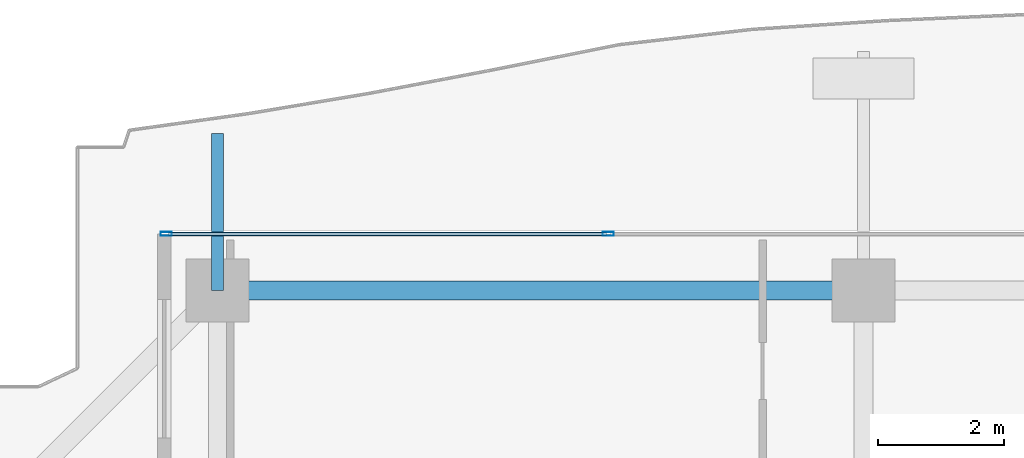
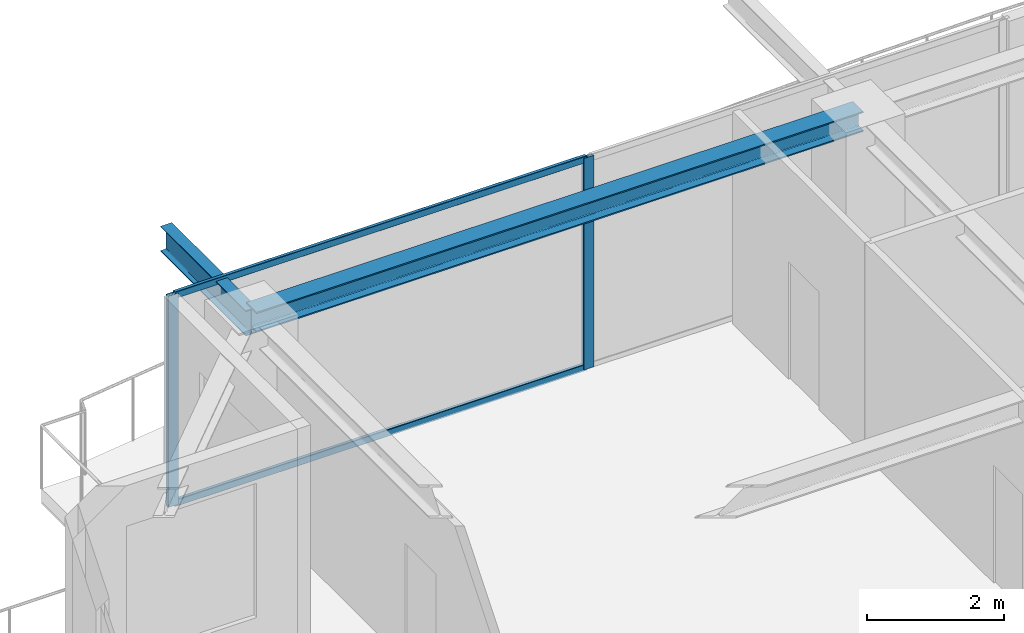
# One storey, part 21 of 39: 4 members, 2 beams, 1 element without a shape of its own.
"""IFC4 building model written with IfcOpenShell, lengths in metres."""

from ifc_helpers import new_model, si_unit, direction, frame, origin, origin_2d, place, context, subcontext, project, spatial, hollow_rectangle, i_section, extrude, source, transform, mapped, material, layer, layer_set, material_profile, profile_set, type_object, element, aggregate, save


model = new_model("IFC4")

# Units and contexts
model_context = context("Model", 3, precision=1e-05, world=origin(), true_north=direction((0.0, 1.0)))
body_context = subcontext(model_context, "Body", "Model", "MODEL_VIEW")
ifc_project = project(units=[si_unit("LENGTHUNIT", "METRE"), si_unit("AREAUNIT", "SQUARE_METRE"), si_unit("VOLUMEUNIT", "CUBIC_METRE"), si_unit("PLANEANGLEUNIT", "RADIAN"), si_unit("MASSUNIT", "GRAM", prefix="KILO")], contexts=[model_context])

# Site, building, storey
site_placement = place(None, origin())
site = spatial("IfcSite", under=ifc_project, at=site_placement, CompositionType="ELEMENT")
building_placement = place(site_placement, origin())
building = spatial("IfcBuilding", under=site, at=building_placement, Name="Serunith Strait Residences", CompositionType="ELEMENT")
storey_placement = place(building_placement, frame((0.0, 0.0, 329.89990234375)))
storey = spatial("IfcBuildingStorey", under=building, at=storey_placement, Name="L82", CompositionType="ELEMENT", Elevation=329.89990234375)

# Beams
ifc_material_1 = material(Name="Steel S355J2", Category="steel")
ifc_material_profile_1 = material_profile(ifc_material_1, i_section(OverallWidth=0.300048828125, OverallDepth=0.360107421875, WebThickness=0.012451171875, FlangeThickness=0.0224609375, FilletRadius=0.027099609375, at=origin_2d()), Name="HEB 360")
ifc_profile_set_1 = profile_set([ifc_material_profile_1], Name="Steel S355J2")
beam_type_1 = type_object("IfcBeamType", Name="BM-HEB360", PredefinedType="BEAM", material=ifc_profile_set_1)
shared_shape_1 = source(origin(), body_context, "Body", "SweptSolid", [
    extrude(i_section(OverallWidth=0.300048828125, OverallDepth=0.360107421875, WebThickness=0.012451171875, FlangeThickness=0.0224609375, FilletRadius=0.027099609375, at=origin_2d()), origin(), (0.0, 0.0, 1.0), 10.25),
])
beam_1_placement = place(storey_placement, frame((27.89990234375, 47.10009765625, 3.607177734375), z_axis=(-1.0, 0.0, 0.0), x_axis=(0.0, -1.0, 0.0)))
element("IfcBeam", 1, at=beam_1_placement, inside=storey, type_object=beam_type_1, Name="L82 Perimeter Ring Beam 11", PredefinedType="BEAM", context=body_context, shape_type="MappedRepresentation", body=[
    mapped(shared_shape_1, transform((0.0, 0.0, 0.0), scale=1.0)),
])
ifc_material_profile_2 = material_profile(ifc_material_1, i_section(OverallWidth=0.18994140625, OverallDepth=0.449951171875, WebThickness=0.009521484375, FlangeThickness=0.0146484375, FilletRadius=0.02099609375, at=origin_2d()), Name="IPE 450")
ifc_profile_set_2 = profile_set([ifc_material_profile_2], Name="Steel S355J2")
beam_type_2 = type_object("IfcBeamType", Name="BM-IPE450", PredefinedType="JOIST", material=ifc_profile_set_2)
shared_shape_2 = source(origin(), body_context, "Body", "SweptSolid", [
    extrude(i_section(OverallWidth=0.18994140625, OverallDepth=0.449951171875, WebThickness=0.009521484375, FlangeThickness=0.0146484375, FilletRadius=0.02099609375, at=origin_2d()), origin(), (0.0, 0.0, 1.0), 2.493896484375),
])
beam_2_placement = place(storey_placement, frame((17.64990234375, 47.10009765625, 3.531982421875), z_axis=(0.0, 1.0, 0.0), x_axis=(-1.0, 0.0, 0.0)))
element("IfcBeam", 2, at=beam_2_placement, inside=storey, type_object=beam_type_2, Name="L83 Cantilevered Balcony Rib TC-N1", PredefinedType="JOIST", context=body_context, shape_type="MappedRepresentation", body=[
    mapped(shared_shape_2, transform((0.0, 0.0, 0.0), scale=1.0)),
])

# Curtain wall, members
ifc_material_2 = material(Name="Brushed Stainless-Silver Aluminium", Category="aluminium")
ifc_layer = layer(ifc_material_2, 0.199951171875, Name="Brushed Stainless-Silver Aluminium")
ifc_layer_set = layer_set([ifc_layer], Name="Brushed Stainless-Silver Aluminium")
curtain_wall_type = type_object("IfcCurtainWallType", Name="CW-SYS5", PredefinedType="NOTDEFINED", material=ifc_layer_set)
curtain_wall_placement = place(storey_placement, origin())
curtain_wall = element("IfcCurtainWall", 3, at=curtain_wall_placement, inside=storey, type_object=curtain_wall_type, Name="L82 N Unitised Fritted Curtain Wall", PredefinedType="NOTDEFINED")
ifc_material_profile_3 = material_profile(ifc_material_2, hollow_rectangle(XDim=0.06494140625, YDim=0.179931640625, WallThickness=0.00341796875, InnerFilletRadius=0.00537109375, OuterFilletRadius=0.0087890625, at=origin_2d()), Name="ALU 180x65x3.5")
ifc_profile_set_3 = profile_set([ifc_material_profile_3], Name="Brushed Stainless-Silver Aluminium")
member_type_1 = type_object("IfcMemberType", Name="CW-SYS5-MULL", PredefinedType="MULLION", material=ifc_profile_set_3)
shared_shape_3 = source(origin(), body_context, "Body", "SweptSolid", [
    extrude(hollow_rectangle(XDim=0.06494140625, YDim=0.179931640625, WallThickness=0.00341796875, InnerFilletRadius=0.00537109375, OuterFilletRadius=0.0087890625, at=origin_2d()), origin(), (0.0, 0.0, 1.0), 3.775146484375),
])
member_1_placement = place(storey_placement, frame((23.85009765625, 48.0, 0.0), z_axis=(0.0, 0.0, 1.0), x_axis=(0.0, -1.0, 0.0)))
member_1 = element("IfcMember", 4, at=member_1_placement, type_object=member_type_1, Name="CW-5 mullion 2", PredefinedType="MULLION", context=body_context, shape_type="MappedRepresentation", body=[
    mapped(shared_shape_3, transform((0.0, 0.0, 0.0), scale=1.0)),
])
member_2_placement = place(storey_placement, frame((16.83251953125, 48.0, 0.0), z_axis=(0.0, 0.0, 1.0), x_axis=(0.0, -1.0, 0.0)))
member_2 = element("IfcMember", 5, at=member_2_placement, type_object=member_type_1, Name="CW-5 mullion 3", PredefinedType="MULLION", context=body_context, shape_type="MappedRepresentation", body=[
    mapped(shared_shape_3, transform((0.0, 0.0, 0.0), scale=1.0)),
])
ifc_material_profile_4 = material_profile(ifc_material_2, hollow_rectangle(XDim=0.06005859375, YDim=0.1201171875, WallThickness=0.00341796875, InnerFilletRadius=0.00537109375, OuterFilletRadius=0.0087890625, at=origin_2d()), Name="ALU 120x60x3.5")
ifc_profile_set_4 = profile_set([ifc_material_profile_4], Name="Brushed Stainless-Silver Aluminium")
member_type_2 = type_object("IfcMemberType", Name="CW-SYS5-TRAN", PredefinedType="USERDEFINED", material=ifc_profile_set_4)
shared_shape_4 = source(origin(), body_context, "Body", "SweptSolid", [
    extrude(hollow_rectangle(XDim=0.06005859375, YDim=0.1201171875, WallThickness=0.00341796875, InnerFilletRadius=0.00537109375, OuterFilletRadius=0.0087890625, at=origin_2d()), origin(), (0.0, 0.0, 1.0), 6.952392578125),
])
member_3_placement = place(storey_placement, frame((23.8173828125, 48.0, 0.030029296875), z_axis=(-1.0, 0.0, 0.0), x_axis=(0.0, -1.0, 0.0)))
member_3 = element("IfcMember", 6, at=member_3_placement, type_object=member_type_2, Name="CW-5 transom 2.1", ObjectType="TRANSOM", PredefinedType="USERDEFINED", context=body_context, shape_type="MappedRepresentation", body=[
    mapped(shared_shape_4, transform((0.0, 0.0, 0.0), scale=1.0)),
])
member_4_placement = place(storey_placement, frame((23.8173828125, 48.0, 3.7451171875), z_axis=(-1.0, 0.0, 0.0), x_axis=(0.0, -1.0, 0.0)))
member_4 = element("IfcMember", 7, at=member_4_placement, type_object=member_type_2, Name="CW-5 transom 2.2", ObjectType="TRANSOM", PredefinedType="USERDEFINED", context=body_context, shape_type="MappedRepresentation", body=[
    mapped(shared_shape_4, transform((0.0, 0.0, 0.0), scale=1.0)),
])
aggregate(curtain_wall, [member_1, member_2, member_3, member_4])

save(model, "model.ifc")
